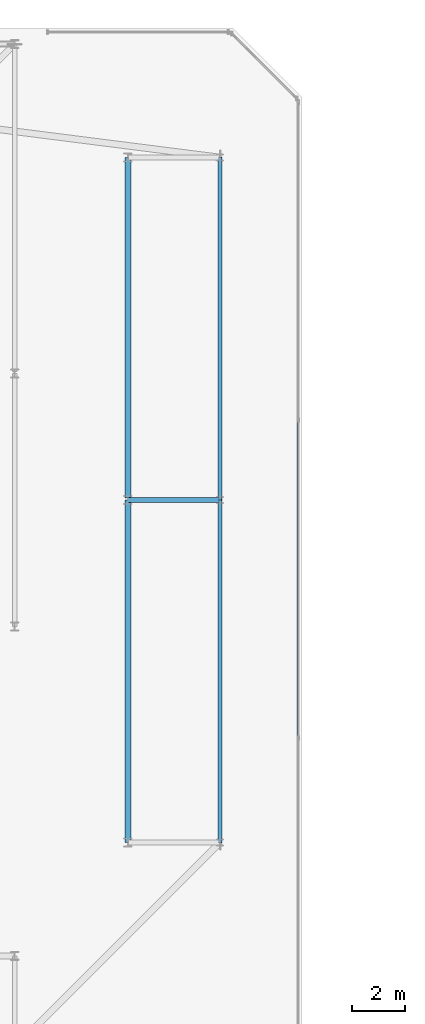
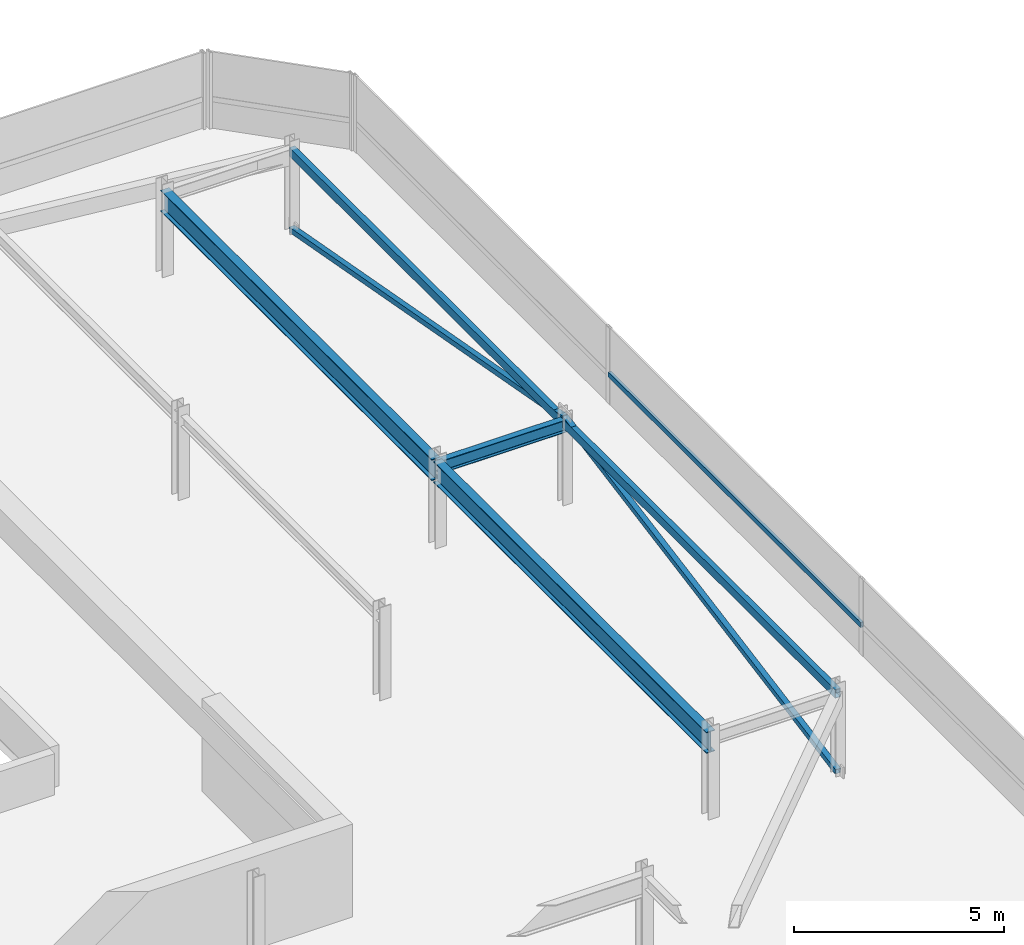
# One storey, part 20 of 44: 5 beams, 3 members, 1 element without a shape of its own.
"""IFC4 building model written with IfcOpenShell, lengths in metres."""

from ifc_helpers import new_model, si_unit, direction, frame, origin, origin_2d, place, context, subcontext, project, spatial, hollow_rectangle, i_section, extrude, material, material_profile, profile_set, type_object, element, aggregate, save


model = new_model("IFC4")

# Units and contexts
model_context = context("Model", 3, precision=1e-05, world=origin(), true_north=direction((0.0, 1.0)))
body_context = subcontext(model_context, "Body", "Model", "MODEL_VIEW")
ifc_project = project(units=[si_unit("LENGTHUNIT", "METRE"), si_unit("AREAUNIT", "SQUARE_METRE"), si_unit("VOLUMEUNIT", "CUBIC_METRE"), si_unit("PLANEANGLEUNIT", "RADIAN"), si_unit("MASSUNIT", "GRAM", prefix="KILO")], contexts=[model_context])

# Site, building, storey
site_placement = place(None, origin())
site = spatial("IfcSite", under=ifc_project, at=site_placement, CompositionType="ELEMENT")
building_placement = place(site_placement, origin())
building = spatial("IfcBuilding", under=site, at=building_placement, Name="Thornwick Lancets Civic Towers", CompositionType="ELEMENT")
storey_placement = place(building_placement, frame((0.0, 0.0, 294.89990234375)))
storey = spatial("IfcBuildingStorey", under=building, at=storey_placement, Name="C06", CompositionType="ELEMENT", Elevation=294.89990234375)

# Beams
ifc_material_1 = material(Name="Steel S355JR", Category="steel")
ifc_material_profile_1 = material_profile(ifc_material_1, hollow_rectangle(XDim=0.14990234375, YDim=0.25, WallThickness=0.012451171875, at=origin_2d()), Name="RHS 250x150x12.5")
ifc_profile_set_1 = profile_set([ifc_material_profile_1], Name="Steel S355JR")
beam_type_1 = type_object("IfcBeamType", Name="BM_CROWN_RHS250", PredefinedType="BEAM", material=ifc_profile_set_1)
beam_1_placement = place(storey_placement, frame((46.300048828125, 14.0, 2.315185546875), z_axis=(0.0, 1.0, 0.0), x_axis=(-1.0, 0.0, 0.0)))
element("IfcBeam", 1, at=beam_1_placement, inside=storey, type_object=beam_type_1, Name="BM-EDGE-C06-A-S1-1", PredefinedType="BEAM", context=body_context, shape_type="SweptSolid", body=[
    extrude(hollow_rectangle(XDim=0.14990234375, YDim=0.25, WallThickness=0.012451171875, at=origin_2d()), origin(), (0.0, 0.0, 1.0), 13.0),
])
beam_2_placement = place(storey_placement, frame((46.300048828125, 27.080078125, 2.315185546875), z_axis=(0.0, 1.0, 0.0), x_axis=(-1.0, 0.0, 0.0)))
element("IfcBeam", 2, at=beam_2_placement, inside=storey, type_object=beam_type_1, Name="BM-EDGE-C06-A-S1-2", PredefinedType="BEAM", context=body_context, shape_type="SweptSolid", body=[
    extrude(hollow_rectangle(XDim=0.14990234375, YDim=0.25, WallThickness=0.012451171875, at=origin_2d()), origin(), (0.0, 0.0, 1.0), 12.919921875),
])
ifc_material_profile_2 = material_profile(ifc_material_1, i_section(OverallWidth=0.230224609375, OverallDepth=0.6171875, WebThickness=0.01318359375, FlangeThickness=0.022216796875, FilletRadius=0.0126953125, at=origin_2d()), Name="UKB 610x229x140")
ifc_profile_set_2 = profile_set([ifc_material_profile_2], Name="Steel S355JR")
beam_type_2 = type_object("IfcBeamType", Name="BM_GIRD_610_140", PredefinedType="BEAM", material=ifc_profile_set_2)
beam_3_placement = place(storey_placement, frame((42.800048828125, 14.0, 2.131591796875), z_axis=(0.0, 1.0, 0.0), x_axis=(-1.0, 0.0, 0.0)))
element("IfcBeam", 3, at=beam_3_placement, inside=storey, type_object=beam_type_2, Name="BM-SPINE-C06-A-3-4", PredefinedType="BEAM", context=body_context, shape_type="SweptSolid", body=[
    extrude(i_section(OverallWidth=0.230224609375, OverallDepth=0.6171875, WebThickness=0.01318359375, FlangeThickness=0.022216796875, FilletRadius=0.0126953125, at=origin_2d()), origin(), (0.0, 0.0, 1.0), 13.0),
])
beam_4_placement = place(storey_placement, frame((42.800048828125, 27.080078125, 2.131591796875), z_axis=(0.0, 1.0, 0.0), x_axis=(-1.0, 0.0, 0.0)))
element("IfcBeam", 4, at=beam_4_placement, inside=storey, type_object=beam_type_2, Name="BM-SPINE-C06-A-4-5", PredefinedType="BEAM", context=body_context, shape_type="SweptSolid", body=[
    extrude(i_section(OverallWidth=0.230224609375, OverallDepth=0.6171875, WebThickness=0.01318359375, FlangeThickness=0.022216796875, FilletRadius=0.0126953125, at=origin_2d()), origin(), (0.0, 0.0, 1.0), 12.919921875),
])
ifc_material_profile_3 = material_profile(ifc_material_1, i_section(OverallWidth=0.173095703125, OverallDepth=0.36328125, WebThickness=0.009033203125, FlangeThickness=0.015625, FilletRadius=0.01025390625, at=origin_2d()), Name="UKB 356x171x67")
ifc_profile_set_3 = profile_set([ifc_material_profile_3], Name="Steel S355JR")
beam_type_3 = type_object("IfcBeamType", Name="BM_JOIST_356_67", PredefinedType="JOIST", material=ifc_profile_set_3)
beam_5_placement = place(storey_placement, frame((42.800048828125, 27.0, 2.25830078125), z_axis=(1.0, 0.0, 0.0), x_axis=(0.0, 1.0, 0.0)))
element("IfcBeam", 5, at=beam_5_placement, inside=storey, type_object=beam_type_3, Name="BM-RAD-C06-A05", PredefinedType="JOIST", context=body_context, shape_type="SweptSolid", body=[
    extrude(i_section(OverallWidth=0.173095703125, OverallDepth=0.36328125, WebThickness=0.009033203125, FlangeThickness=0.015625, FilletRadius=0.01025390625, at=origin_2d()), origin(), (0.0, 0.0, 1.0), 3.5),
])

# Curtain wall, member
ifc_material_2 = material(Name="Crown ring acoustic-louvre and glazing screen wall", Category="glass")
curtain_wall_type = type_object("IfcCurtainWallType", Name="CW_SYS_07", PredefinedType="NOTDEFINED", material=ifc_material_2)
curtain_wall_placement = place(storey_placement, origin())
curtain_wall = element("IfcCurtainWall", 6, at=curtain_wall_placement, inside=storey, type_object=curtain_wall_type, Name="C06 Curtain Wall CW-C06-A-E2", PredefinedType="NOTDEFINED")
ifc_material_3 = material(Name="Thermally broken bronze aluminium S355", Category="steel")
ifc_material_profile_4 = material_profile(ifc_material_3, hollow_rectangle(XDim=0.074951171875, YDim=0.14990234375, WallThickness=0.0048828125, at=origin_2d()), Name="RHS 150x75x5")
ifc_profile_set_4 = profile_set([ifc_material_profile_4], Name="Thermally broken bronze aluminium S355")
member_type_1 = type_object("IfcMemberType", Name="CW_TRN_150", PredefinedType="USERDEFINED", material=ifc_profile_set_4)
member_placement = place(storey_placement, frame((49.2646484375, 17.986083984375, 0.85009765625), z_axis=(0.0, 1.0, 0.0), x_axis=(-1.0, 0.0, 0.0)))
member = element("IfcMember", 7, at=member_placement, type_object=member_type_1, Name="CW-C06-A-E2 Transom 1", ObjectType="TRANSOM", PredefinedType="USERDEFINED", context=body_context, shape_type="SweptSolid", body=[
    extrude(hollow_rectangle(XDim=0.074951171875, YDim=0.14990234375, WallThickness=0.0048828125, at=origin_2d()), origin(), (0.0, 0.0, 1.0), 12.02783203125),
])
aggregate(curtain_wall, [member])

# Members
ifc_material_profile_5 = material_profile(ifc_material_1, hollow_rectangle(XDim=0.14990234375, YDim=0.14990234375, WallThickness=0.010009765625, at=origin_2d()), Name="SHS 150x150x10")
ifc_profile_set_5 = profile_set([ifc_material_profile_5], Name="Steel S355JR")
member_type_2 = type_object("IfcMemberType", Name="MEM_CROWN_SHS150", PredefinedType="BRACE", material=ifc_profile_set_5)
for number, where, z_axis, x_axis, name in (
    (8, (46.300048828125, 14.0, 0.050048828125), (0.0, 0.983515136313, 0.180825818519), (-1.0, 0.0, 0.0), "C06 Crown Ring Lancet Rib A-S1-L"),
    (9, (46.300048828125, 40.0, 0.050048828125), (0.0, -0.983515136313, 0.180825818519), (1.0, 0.0, 0.0), "C06 Crown Ring Lancet Rib A-S1-R"),
):
    element("IfcMember", number, at=place(storey_placement, frame(where, z_axis=z_axis, x_axis=x_axis)), inside=storey, type_object=member_type_2, Name=name, PredefinedType="BRACE", context=body_context, shape_type="SweptSolid", body=[
        extrude(hollow_rectangle(XDim=0.14990234375, YDim=0.14990234375, WallThickness=0.010009765625, at=origin_2d()), origin(), (0.0, 0.0, 1.0), 13.2177734375),
    ])

save(model, "model.ifc")
